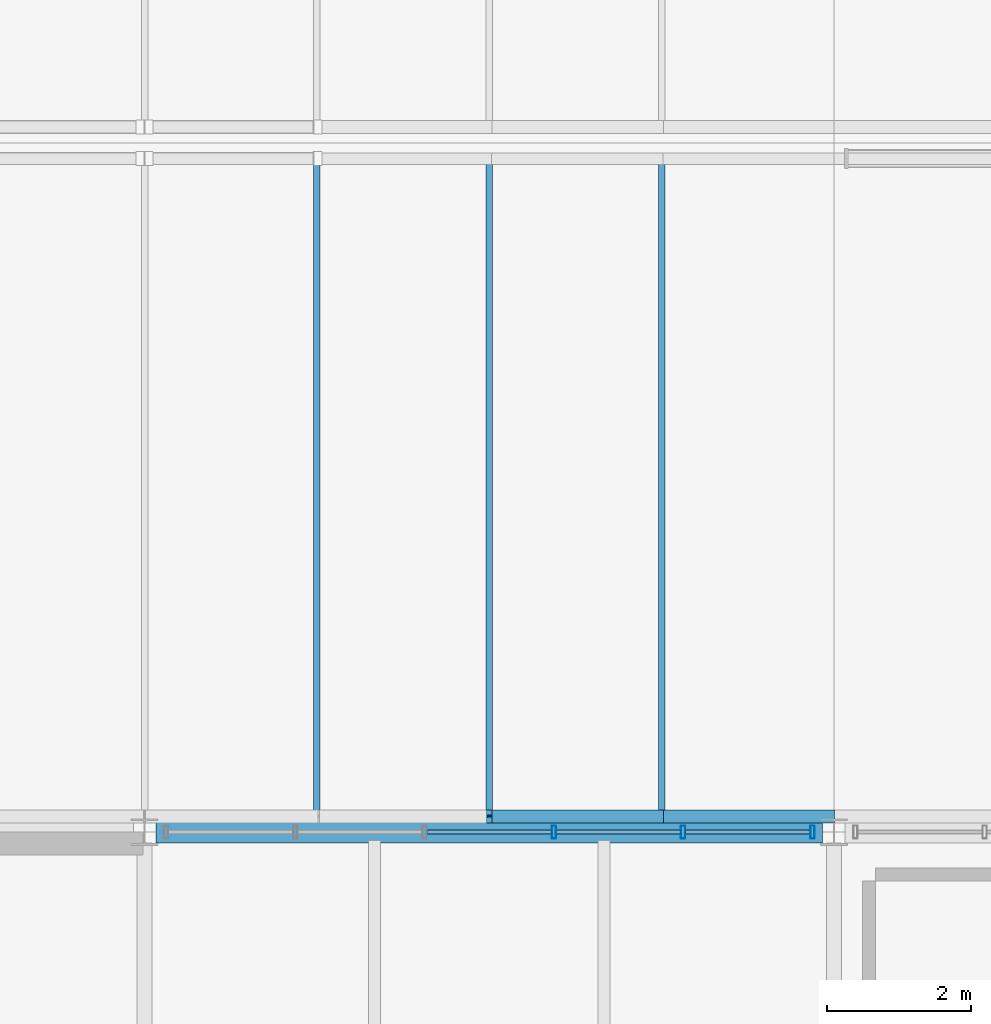
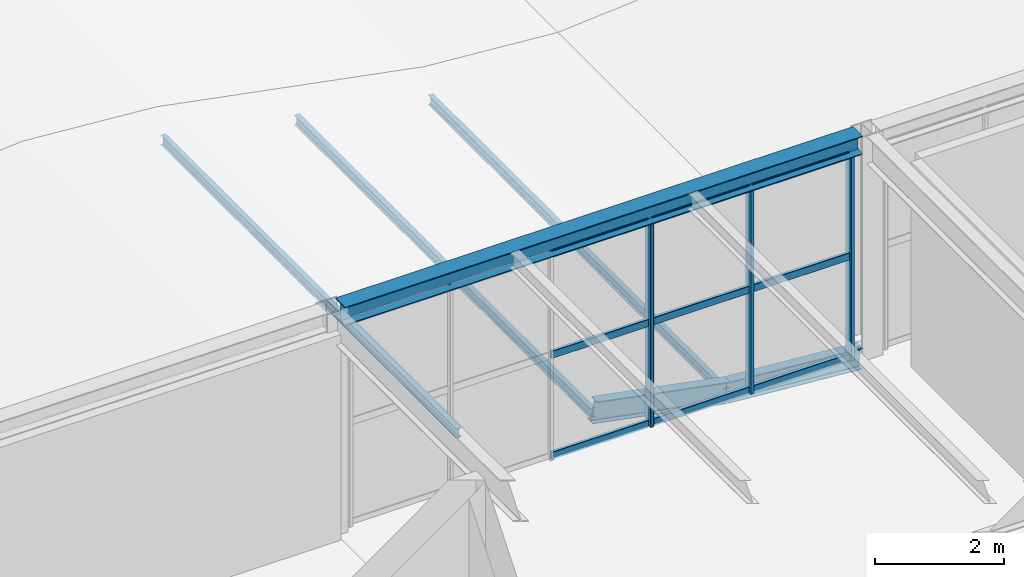
# One storey, part 110 of 170: 15 members, 3 beams, 1 element without a shape of its own.
"""IFC4 building model written with IfcOpenShell, lengths in metres."""

from ifc_helpers import new_model, si_unit, direction, frame, origin, origin_2d, place, context, subcontext, project, spatial, hollow_rectangle, i_section, extrude, material, material_profile, profile_set, type_object, element, aggregate, save


model = new_model("IFC4")

# Units and contexts
model_context = context("Model", 3, precision=1e-05, world=origin(), true_north=direction((0.0, 1.0)))
body_context = subcontext(model_context, "Body", "Model", "MODEL_VIEW")
ifc_project = project(units=[si_unit("LENGTHUNIT", "METRE"), si_unit("AREAUNIT", "SQUARE_METRE"), si_unit("VOLUMEUNIT", "CUBIC_METRE"), si_unit("PLANEANGLEUNIT", "RADIAN"), si_unit("MASSUNIT", "GRAM", prefix="KILO")], contexts=[model_context])

# Site, building, storey
site_placement = place(None, origin())
site = spatial("IfcSite", under=ifc_project, at=site_placement, CompositionType="ELEMENT")
building_placement = place(site_placement, origin())
building = spatial("IfcBuilding", under=site, at=building_placement, Name="Coralgate Yard Interchange", CompositionType="ELEMENT")
storey_placement = place(building_placement, frame((0.0, 0.0, 6.0)))
storey = spatial("IfcBuildingStorey", under=building, at=storey_placement, Name="L01", CompositionType="ELEMENT", Elevation=6.0)

# Beams
ifc_material_1 = material(Name="Structural steel S355J2", Category="steel")
ifc_material_profile_1 = material_profile(ifc_material_1, i_section(OverallWidth=0.300048828125, OverallDepth=0.35009765625, WebThickness=0.010009765625, FlangeThickness=0.017578125, FilletRadius=0.027099609375, at=origin_2d()), Name="HEA 360")
ifc_profile_set_1 = profile_set([ifc_material_profile_1], Name="Structural steel S355J2")
beam_type_1 = type_object("IfcBeamType", Name="BM-SP-1", PredefinedType="SPANDREL", material=ifc_profile_set_1)
beam_1_placement = place(storey_placement, frame((86.556396484375, 96.0, 4.074951171875), z_axis=(1.0, 0.0, 0.0), x_axis=(0.0, 1.0, 0.0)))
element("IfcBeam", 1, at=beam_1_placement, inside=storey, type_object=beam_type_1, Name="L01 primary grid beam Y10 X9-10", PredefinedType="SPANDREL", context=body_context, shape_type="SweptSolid", body=[
    extrude(i_section(OverallWidth=0.300048828125, OverallDepth=0.35009765625, WebThickness=0.010009765625, FlangeThickness=0.017578125, FilletRadius=0.027099609375, at=origin_2d()), origin(), (0.0, 0.0, 1.0), 9.287353515625),
])
ifc_material_2 = material(Name="Off-white architectural structural steel S355J2", Category="steel")
ifc_material_profile_2 = material_profile(ifc_material_2, i_section(OverallWidth=0.179931640625, OverallDepth=0.39990234375, WebThickness=0.008544921875, FlangeThickness=0.013427734375, FilletRadius=0.02099609375, at=origin_2d()), Name="IPE 400")
ifc_profile_set_2 = profile_set([ifc_material_profile_2], Name="Off-white architectural structural steel S355J2")
beam_type_2 = type_object("IfcBeamType", Name="BM-WR-1", PredefinedType="BEAM", material=ifc_profile_set_2)
beam_2_placement = place(storey_placement, frame((91.199951171875, 96.219970703125, 0.449951171875), z_axis=(0.982165006537, 0.0, -0.188021009287), x_axis=(0.0, 1.0, 0.0)))
element("IfcBeam", 2, at=beam_2_placement, inside=storey, type_object=beam_type_2, Name="Wave-shell steel arch rib R1-W3-S7", PredefinedType="BEAM", context=body_context, shape_type="SweptSolid", body=[
    extrude(i_section(OverallWidth=0.179931640625, OverallDepth=0.39990234375, WebThickness=0.008544921875, FlangeThickness=0.013427734375, FilletRadius=0.02099609375, at=origin_2d()), origin(), (0.0, 0.0, 1.0), 2.44384765625),
])
beam_3_placement = place(storey_placement, frame((93.60009765625, 96.219970703125, -0.009521484375), z_axis=(0.996866661985, 0.0, -0.079100304817), x_axis=(0.0, 1.0, 0.0)))
element("IfcBeam", 3, at=beam_3_placement, inside=storey, type_object=beam_type_2, Name="Wave-shell steel arch rib R1-W3-S8", PredefinedType="BEAM", context=body_context, shape_type="SweptSolid", body=[
    extrude(i_section(OverallWidth=0.179931640625, OverallDepth=0.39990234375, WebThickness=0.008544921875, FlangeThickness=0.013427734375, FilletRadius=0.02099609375, at=origin_2d()), origin(), (0.0, 0.0, 1.0), 2.407470703125),
])

# Curtain wall, members
ifc_material_3 = material(Name="Anodised coastal aluminium and solar-control low-E glass", Category="aluminium")
curtain_wall_type = type_object("IfcCurtainWallType", Name="CW-CW-L01-B", PredefinedType="NOTDEFINED", material=ifc_material_3)
curtain_wall_placement = place(storey_placement, origin())
curtain_wall = element("IfcCurtainWall", 4, at=curtain_wall_placement, inside=storey, type_object=curtain_wall_type, Name="L01 unitised curtain wall CW-L01-N-09-09", PredefinedType="NOTDEFINED")
ifc_material_4 = material(Name="Anodised coastal aluminium 6063-T6", Category="aluminium")
ifc_material_profile_3 = material_profile(ifc_material_4, hollow_rectangle(XDim=0.06005859375, YDim=0.179931640625, WallThickness=0.00390625, InnerFilletRadius=0.00390625, OuterFilletRadius=0.008056640625, at=origin_2d()), Name="ALU 60x180x4")
ifc_profile_set_3 = profile_set([ifc_material_profile_3], Name="Anodised coastal aluminium 6063-T6")
member_type_1 = type_object("IfcMemberType", Name="MB-MUL-180", PredefinedType="MULLION", material=ifc_profile_set_3)
member_1_placement = place(storey_placement, frame((92.10009765625, 96.0, 0.0), z_axis=(0.0, 0.0, 1.0), x_axis=(1.0, 0.0, 0.0)))
member_1 = element("IfcMember", 5, at=member_1_placement, type_object=member_type_1, Name="CW-L01-N-09-09 vertical mullion 4", PredefinedType="MULLION", context=body_context, shape_type="SweptSolid", body=[
    extrude(hollow_rectangle(XDim=0.06005859375, YDim=0.179931640625, WallThickness=0.00390625, InnerFilletRadius=0.00390625, OuterFilletRadius=0.008056640625, at=origin_2d()), origin(), (0.0, 0.0, 1.0), 3.89990234375),
])
member_2_placement = place(storey_placement, frame((93.89990234375, 96.0, 0.0), z_axis=(0.0, 0.0, 1.0), x_axis=(1.0, 0.0, 0.0)))
member_2 = element("IfcMember", 6, at=member_2_placement, type_object=member_type_1, Name="CW-L01-N-09-09 vertical mullion 5", PredefinedType="MULLION", context=body_context, shape_type="SweptSolid", body=[
    extrude(hollow_rectangle(XDim=0.06005859375, YDim=0.179931640625, WallThickness=0.00390625, InnerFilletRadius=0.00390625, OuterFilletRadius=0.008056640625, at=origin_2d()), origin(), (0.0, 0.0, 1.0), 3.89990234375),
])
member_3_placement = place(storey_placement, frame((95.699951171875, 96.0, 0.0), z_axis=(0.0, 0.0, 1.0), x_axis=(1.0, 0.0, 0.0)))
member_3 = element("IfcMember", 7, at=member_3_placement, type_object=member_type_1, Name="CW-L01-N-09-09 vertical mullion 6", PredefinedType="MULLION", context=body_context, shape_type="SweptSolid", body=[
    extrude(hollow_rectangle(XDim=0.06005859375, YDim=0.179931640625, WallThickness=0.00390625, InnerFilletRadius=0.00390625, OuterFilletRadius=0.008056640625, at=origin_2d()), origin(), (0.0, 0.0, 1.0), 3.89990234375),
])

# Members
ifc_material_profile_4 = material_profile(ifc_material_2, i_section(OverallWidth=0.091064453125, OverallDepth=0.179931640625, WebThickness=0.00537109375, FlangeThickness=0.008056640625, FilletRadius=0.009033203125, at=origin_2d()), Name="IPE 180")
ifc_profile_set_4 = profile_set([ifc_material_profile_4], Name="Off-white architectural structural steel S355J2")
member_type_2 = type_object("IfcMemberType", Name="MB-PR-2", PredefinedType="PURLIN", material=ifc_profile_set_4)
for number, where, z_axis, x_axis, name in (
    (8, (88.800048828125, 96.199951171875, 0.86962890625), (0.0, 1.0, 0.0), (-1.0, 0.0, 0.0), "Wave-shell purlin R1-W3-6"),
    (9, (91.199951171875, 96.199951171875, 0.409912109375), (0.0, 1.0, 0.0), (-1.0, 0.0, 0.0), "Wave-shell purlin R1-W3-7"),
    (10, (93.60009765625, 96.199951171875, -0.049560546875), (0.0, 1.0, 0.0), (-1.0, 0.0, 0.0), "Wave-shell purlin R1-W3-8"),
):
    element("IfcMember", number, at=place(storey_placement, frame(where, z_axis=z_axis, x_axis=x_axis)), inside=storey, type_object=member_type_2, Name=name, PredefinedType="PURLIN", context=body_context, shape_type="SweptSolid", body=[
        extrude(i_section(OverallWidth=0.091064453125, OverallDepth=0.179931640625, WebThickness=0.00537109375, FlangeThickness=0.008056640625, FilletRadius=0.009033203125, at=origin_2d()), origin(), (0.0, 0.0, 1.0), 9.199951171875),
    ])

# Member
ifc_material_profile_5 = material_profile(ifc_material_4, hollow_rectangle(XDim=0.06005859375, YDim=0.139892578125, WallThickness=0.00341796875, InnerFilletRadius=0.00341796875, OuterFilletRadius=0.007080078125, at=origin_2d()), Name="ALU 60x140x3.5")
ifc_profile_set_5 = profile_set([ifc_material_profile_5], Name="Anodised coastal aluminium 6063-T6")
member_type_3 = type_object("IfcMemberType", Name="MB-TRN-140", PredefinedType="USERDEFINED", material=ifc_profile_set_5)
member_4_placement = place(storey_placement, frame((90.330078125, 96.0, 0.034912109375), z_axis=(1.0, 0.0, 0.0), x_axis=(0.0, 1.0, 0.0)))
member_4 = element("IfcMember", 11, at=member_4_placement, type_object=member_type_3, Name="CW-L01-N-09-09 horizontal transom 3-1", ObjectType="TRANSOM", PredefinedType="USERDEFINED", context=body_context, shape_type="SweptSolid", body=[
    extrude(hollow_rectangle(XDim=0.06005859375, YDim=0.139892578125, WallThickness=0.00341796875, InnerFilletRadius=0.00341796875, OuterFilletRadius=0.007080078125, at=origin_2d()), origin(), (0.0, 0.0, 1.0), 1.739990234375),
])

member_5_placement = place(storey_placement, frame((90.330078125, 96.0, 1.949951171875), z_axis=(1.0, 0.0, 0.0), x_axis=(0.0, 1.0, 0.0)))
member_5 = element("IfcMember", 12, at=member_5_placement, type_object=member_type_3, Name="CW-L01-N-09-09 horizontal transom 3-2", ObjectType="TRANSOM", PredefinedType="USERDEFINED", context=body_context, shape_type="SweptSolid", body=[
    extrude(hollow_rectangle(XDim=0.06005859375, YDim=0.139892578125, WallThickness=0.00341796875, InnerFilletRadius=0.00341796875, OuterFilletRadius=0.007080078125, at=origin_2d()), origin(), (0.0, 0.0, 1.0), 1.739990234375),
])

member_6_placement = place(storey_placement, frame((90.330078125, 96.0, 3.864990234375), z_axis=(1.0, 0.0, 0.0), x_axis=(0.0, 1.0, 0.0)))
member_6 = element("IfcMember", 13, at=member_6_placement, type_object=member_type_3, Name="CW-L01-N-09-09 horizontal transom 3-3", ObjectType="TRANSOM", PredefinedType="USERDEFINED", context=body_context, shape_type="SweptSolid", body=[
    extrude(hollow_rectangle(XDim=0.06005859375, YDim=0.139892578125, WallThickness=0.00341796875, InnerFilletRadius=0.00341796875, OuterFilletRadius=0.007080078125, at=origin_2d()), origin(), (0.0, 0.0, 1.0), 1.739990234375),
])

member_7_placement = place(storey_placement, frame((92.1298828125, 96.0, 0.034912109375), z_axis=(1.0, 0.0, 0.0), x_axis=(0.0, 1.0, 0.0)))
member_7 = element("IfcMember", 14, at=member_7_placement, type_object=member_type_3, Name="CW-L01-N-09-09 horizontal transom 4-1", ObjectType="TRANSOM", PredefinedType="USERDEFINED", context=body_context, shape_type="SweptSolid", body=[
    extrude(hollow_rectangle(XDim=0.06005859375, YDim=0.139892578125, WallThickness=0.00341796875, InnerFilletRadius=0.00341796875, OuterFilletRadius=0.007080078125, at=origin_2d()), origin(), (0.0, 0.0, 1.0), 1.740234375),
])

member_8_placement = place(storey_placement, frame((92.1298828125, 96.0, 1.949951171875), z_axis=(1.0, 0.0, 0.0), x_axis=(0.0, 1.0, 0.0)))
member_8 = element("IfcMember", 15, at=member_8_placement, type_object=member_type_3, Name="CW-L01-N-09-09 horizontal transom 4-2", ObjectType="TRANSOM", PredefinedType="USERDEFINED", context=body_context, shape_type="SweptSolid", body=[
    extrude(hollow_rectangle(XDim=0.06005859375, YDim=0.139892578125, WallThickness=0.00341796875, InnerFilletRadius=0.00341796875, OuterFilletRadius=0.007080078125, at=origin_2d()), origin(), (0.0, 0.0, 1.0), 1.740234375),
])

member_9_placement = place(storey_placement, frame((92.1298828125, 96.0, 3.864990234375), z_axis=(1.0, 0.0, 0.0), x_axis=(0.0, 1.0, 0.0)))
member_9 = element("IfcMember", 16, at=member_9_placement, type_object=member_type_3, Name="CW-L01-N-09-09 horizontal transom 4-3", ObjectType="TRANSOM", PredefinedType="USERDEFINED", context=body_context, shape_type="SweptSolid", body=[
    extrude(hollow_rectangle(XDim=0.06005859375, YDim=0.139892578125, WallThickness=0.00341796875, InnerFilletRadius=0.00341796875, OuterFilletRadius=0.007080078125, at=origin_2d()), origin(), (0.0, 0.0, 1.0), 1.740234375),
])

member_10_placement = place(storey_placement, frame((93.929931640625, 96.0, 0.034912109375), z_axis=(1.0, 0.0, 0.0), x_axis=(0.0, 1.0, 0.0)))
member_10 = element("IfcMember", 17, at=member_10_placement, type_object=member_type_3, Name="CW-L01-N-09-09 horizontal transom 5-1", ObjectType="TRANSOM", PredefinedType="USERDEFINED", context=body_context, shape_type="SweptSolid", body=[
    extrude(hollow_rectangle(XDim=0.06005859375, YDim=0.139892578125, WallThickness=0.00341796875, InnerFilletRadius=0.00341796875, OuterFilletRadius=0.007080078125, at=origin_2d()), origin(), (0.0, 0.0, 1.0), 1.739990234375),
])

member_11_placement = place(storey_placement, frame((93.929931640625, 96.0, 1.949951171875), z_axis=(1.0, 0.0, 0.0), x_axis=(0.0, 1.0, 0.0)))
member_11 = element("IfcMember", 18, at=member_11_placement, type_object=member_type_3, Name="CW-L01-N-09-09 horizontal transom 5-2", ObjectType="TRANSOM", PredefinedType="USERDEFINED", context=body_context, shape_type="SweptSolid", body=[
    extrude(hollow_rectangle(XDim=0.06005859375, YDim=0.139892578125, WallThickness=0.00341796875, InnerFilletRadius=0.00341796875, OuterFilletRadius=0.007080078125, at=origin_2d()), origin(), (0.0, 0.0, 1.0), 1.739990234375),
])

member_12_placement = place(storey_placement, frame((93.929931640625, 96.0, 3.864990234375), z_axis=(1.0, 0.0, 0.0), x_axis=(0.0, 1.0, 0.0)))
member_12 = element("IfcMember", 19, at=member_12_placement, type_object=member_type_3, Name="CW-L01-N-09-09 horizontal transom 5-3", ObjectType="TRANSOM", PredefinedType="USERDEFINED", context=body_context, shape_type="SweptSolid", body=[
    extrude(hollow_rectangle(XDim=0.06005859375, YDim=0.139892578125, WallThickness=0.00341796875, InnerFilletRadius=0.00341796875, OuterFilletRadius=0.007080078125, at=origin_2d()), origin(), (0.0, 0.0, 1.0), 1.739990234375),
])

aggregate(curtain_wall, [member_1, member_2, member_3, member_4, member_5, member_6, member_7, member_8, member_9, member_10, member_11, member_12])

save(model, "model.ifc")
